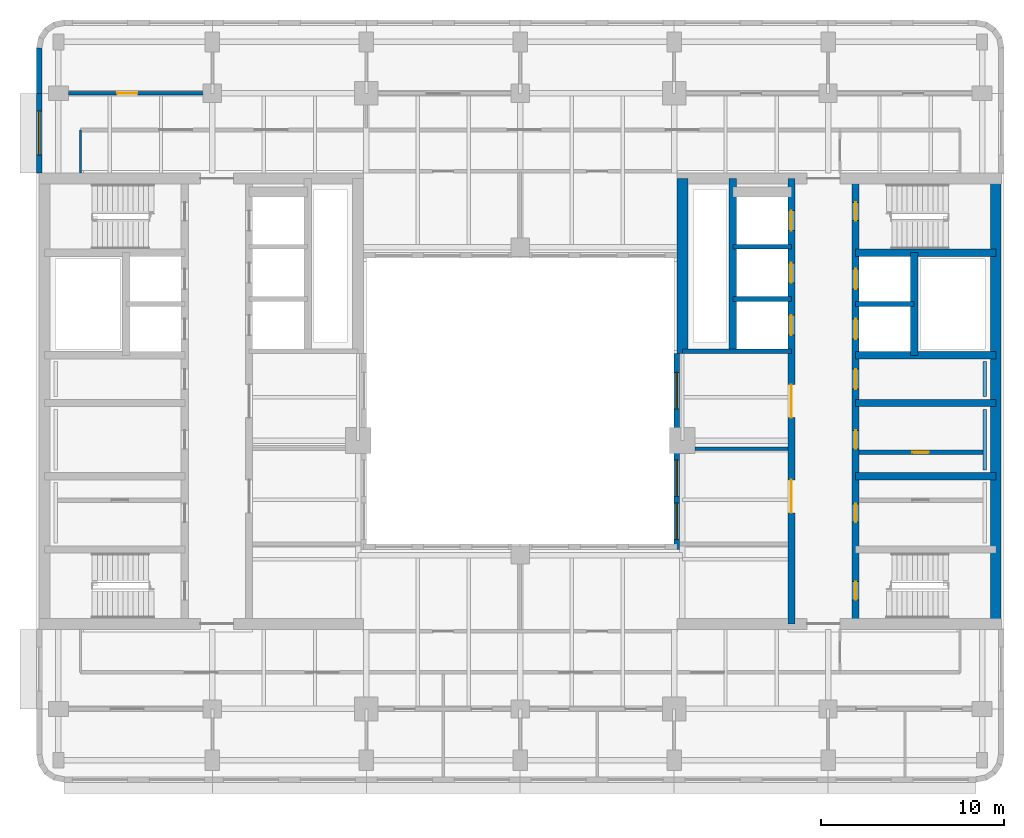
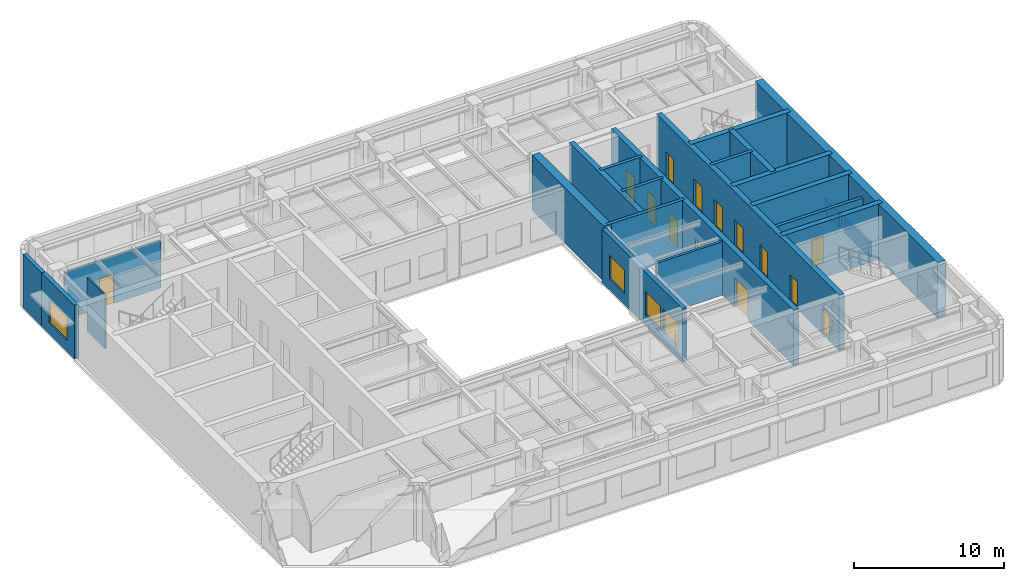
# One storey, part 6 of 11: 23 walls, 14 doors, 4 windows, 18 openings.
"""IFC4 building model written with IfcOpenShell, lengths in metres."""

from ifc_helpers import new_model, si_unit, direction, frame, frame_2d, origin, place, context, subcontext, project, spatial, rectangle, extrude, material, layer, layer_set, type_object, element, fill, save


model = new_model("IFC4")

# Units and contexts
model_context = context("Model", 3, precision=1e-05, world=origin(), true_north=direction((0.0, 1.0)))
body_context = subcontext(model_context, "Body", "Model", "MODEL_VIEW")
ifc_project = project(units=[si_unit("LENGTHUNIT", "METRE"), si_unit("AREAUNIT", "SQUARE_METRE"), si_unit("VOLUMEUNIT", "CUBIC_METRE"), si_unit("PLANEANGLEUNIT", "RADIAN"), si_unit("MASSUNIT", "GRAM", prefix="KILO")], contexts=[model_context])

# Site, building, storey
site_placement = place(None, origin())
site = spatial("IfcSite", under=ifc_project, at=site_placement, CompositionType="ELEMENT")
building_placement = place(site_placement, origin())
building = spatial("IfcBuilding", under=site, at=building_placement, Name="Claustro Exchange Tower", CompositionType="ELEMENT")
storey_placement = place(building_placement, frame((0.0, 0.0, 263.699951171875)))
storey = spatial("IfcBuildingStorey", under=building, at=storey_placement, Name="L60", CompositionType="ELEMENT", Elevation=263.699951171875)

# Walls
ifc_material_1 = material(Name="Laminated glass in aluminium frame", Category="aluminium")
ifc_layer_1 = layer(ifc_material_1, 0.1201171875)
ifc_layer_set_1 = layer_set([ifc_layer_1], Name="Laminated glass in aluminium frame")
wall_type_1 = type_object("IfcWallType", Name="P2 120 glazed partition", PredefinedType="PARTITIONING", material=ifc_layer_set_1)
wall_1_placement = place(storey_placement, frame((1.199951171875, 37.64794921875, 0.0), z_axis=(0.0, 0.0, 1.0), x_axis=(0.0, 1.0, 0.0)))
element("IfcWall", 1, at=wall_1_placement, inside=storey, type_object=wall_type_1, Name="Partition P2 L60", PredefinedType="PARTITIONING", context=body_context, shape_type="SweptSolid", body=[
    extrude(rectangle(XDim=2.35205078125, YDim=0.1201171875, at=frame_2d((1.176025390625, 0.0))), origin(), (0.0, 0.0, 1.0), 4.35009765625),
])
ifc_material_2 = material(Name="Twin-skin gypsum board on steel studs, mineral wool", Category="steel")
ifc_layer_2 = layer(ifc_material_2, 0.199951171875)
ifc_layer_set_2 = layer_set([ifc_layer_2], Name="Twin-skin gypsum board on steel studs, mineral wool")
wall_type_2 = type_object("IfcWallType", Name="P3 200 acoustic partition", PredefinedType="PARTITIONING", material=ifc_layer_set_2)
wall_2_placement = place(storey_placement, frame((34.7490234375, 22.60009765625, 0.0), z_axis=(0.0, 0.0, 1.0), x_axis=(1.0, 0.0, 0.0)))
element("IfcWall", 2, at=wall_2_placement, inside=storey, type_object=wall_type_2, Name="Partition P3 L60", PredefinedType="PARTITIONING", context=body_context, shape_type="SweptSolid", body=[
    extrude(rectangle(XDim=5.052978515625, YDim=0.199951171875, at=frame_2d((2.5263671875, 0.0))), origin(), (0.0, 0.0, 1.0), 4.35009765625),
])

# Wall, opening, door
wall_3_placement = place(storey_placement, frame((0.549072265625, 42.0, 0.0), z_axis=(0.0, 0.0, 1.0), x_axis=(1.0, 0.0, 0.0)))
wall_3 = element("IfcWall", 3, at=wall_3_placement, inside=storey, type_object=wall_type_2, Name="Partition P3 L60", PredefinedType="PARTITIONING", context=body_context, shape_type="SweptSolid", body=[
    extrude(rectangle(XDim=7.351806640625, YDim=0.199951171875, at=frame_2d((3.67578125, 0.0))), origin(), (0.0, 0.0, 1.0), 3.800048828125),
])
opening_1_placement = place(wall_3_placement, frame((2.65087890625, 0.0, 0.0)))
opening_1 = element("IfcOpeningElement", 4, at=opening_1_placement, cuts=wall_3, Name="Opening D8", PredefinedType="OPENING", context=body_context, shape_type="SweptSolid", body=[
    extrude(rectangle(XDim=1.10009765625, YDim=2.39990234375, at=frame_2d((0.550048828125, 1.199951171875))), frame((0.0, 0.10986328125, 0.0), z_axis=(0.0, -1.0, 0.0), x_axis=(1.0, 0.0, 0.0)), (0.0, 0.0, 1.0), 0.219970703125),
])
ifc_material_3 = material(Name="Timber door, walnut veneer", Category="wood")
door_type_1 = type_object("IfcDoorType", Name="D8 1100 x 2400 executive door", OperationType="SINGLE_SWING_LEFT", PredefinedType="DOOR", material=ifc_material_3)
door_1_placement = place(opening_1_placement, origin())
door_1 = element("IfcDoor", 5, at=door_1_placement, inside=storey, type_object=door_type_1, Name="Door D8 L60", OperationType="SINGLE_SWING_RIGHT", OverallHeight=2.39990234375, OverallWidth=1.10009765625, PredefinedType="DOOR", context=body_context, shape_type="SweptSolid", body=[
    extrude(rectangle(XDim=1.10009765625, YDim=2.39990234375, at=frame_2d((0.550048828125, 1.199951171875))), frame((0.0, 0.02490234375, 0.0), z_axis=(0.0, -1.0, 0.0), x_axis=(1.0, 0.0, 0.0)), (0.0, 0.0, 1.0), 0.050048828125),
])
fill(opening_1, door_1)

ifc_material_4 = material(Name="Concrete blockwork, rendered", Category="masonry")
ifc_layer_3 = layer(ifc_material_4, 0.25)
ifc_layer_set_3 = layer_set([ifc_layer_3], Name="Concrete blockwork, rendered")
wall_type_3 = type_object("IfcWallType", Name="P4 250 blockwork wall", PredefinedType="PARTITIONING", material=ifc_layer_set_3)
wall_4_placement = place(storey_placement, frame((43.699951171875, 22.39990234375, 0.0), z_axis=(0.0, 0.0, 1.0), x_axis=(1.0, 0.0, 0.0)))
wall_4 = element("IfcWall", 6, at=wall_4_placement, inside=storey, type_object=wall_type_3, Name="Partition P4 L60", PredefinedType="PARTITIONING", context=body_context, shape_type="SweptSolid", body=[
    extrude(rectangle(XDim=6.75, YDim=0.25, at=frame_2d((3.375, 0.0))), origin(), (0.0, 0.0, 1.0), 4.300048828125),
])
opening_2_placement = place(wall_4_placement, frame((2.89990234375, 0.0, 0.0)))
opening_2 = element("IfcOpeningElement", 7, at=opening_2_placement, cuts=wall_4, Name="Opening D5", PredefinedType="OPENING", context=body_context, shape_type="SweptSolid", body=[
    extrude(rectangle(XDim=0.89990234375, YDim=2.199951171875, at=frame_2d((0.449951171875, 1.10009765625))), frame((0.0, 0.135009765625, 0.0), z_axis=(0.0, -1.0, 0.0), x_axis=(1.0, 0.0, 0.0)), (0.0, 0.0, 1.0), 0.27001953125),
])
ifc_material_5 = material(Name="Steel door, painted", Category="steel")
door_type_2 = type_object("IfcDoorType", Name="D5 900 x 2200 store door", OperationType="SINGLE_SWING_LEFT", PredefinedType="DOOR", material=ifc_material_5)
door_2_placement = place(opening_2_placement, frame((0.89990234375, 0.0, 0.0), z_axis=(0.0, 0.0, 1.0), x_axis=(-1.0, 0.0, 0.0)))
door_2 = element("IfcDoor", 8, at=door_2_placement, inside=storey, type_object=door_type_2, Name="Store door D5 L60", OperationType="SINGLE_SWING_LEFT", OverallHeight=2.199951171875, OverallWidth=0.89990234375, PredefinedType="DOOR", context=body_context, shape_type="SweptSolid", body=[
    extrude(rectangle(XDim=0.89990234375, YDim=2.199951171875, at=frame_2d((0.449951171875, 1.10009765625))), frame((0.0, 0.02490234375, 0.0), z_axis=(0.0, -1.0, 0.0), x_axis=(1.0, 0.0, 0.0)), (0.0, 0.0, 1.0), 0.050048828125),
])
fill(opening_2, door_2)

# Wall, opening, window
ifc_material_6 = material(Name="Concrete HA-40 (C40/50), precast, white cement, acid-etched", Category="concrete")
ifc_layer_4 = layer(ifc_material_6, 0.300048828125)
ifc_layer_set_4 = layer_set([ifc_layer_4], Name="Concrete HA-40 (C40/50), precast, white cement, acid-etched")
wall_type_4 = type_object("IfcWallType", Name="PC1 300 precast concrete pier panel", PredefinedType="SOLIDWALL", material=ifc_layer_set_4)
wall_5_placement = place(storey_placement, frame((-1.050048828125, 37.64990234375, 0.0), z_axis=(0.0, 0.0, 1.0), x_axis=(0.0, 1.0, 0.0)))
wall_5 = element("IfcWall", 9, at=wall_5_placement, inside=storey, type_object=wall_type_4, Name="Precast pier panel PC1 L60", PredefinedType="SOLIDWALL", context=body_context, shape_type="SweptSolid", body=[
    extrude(rectangle(XDim=4.35009765625, YDim=0.300048828125, at=frame_2d((2.175048828125, 0.0))), origin(), (0.0, 0.0, 1.0), 4.35009765625),
])
opening_3_placement = place(wall_5_placement, frame((0.97509765625, 0.0, 0.89990234375)))
opening_3 = element("IfcOpeningElement", 10, at=opening_3_placement, cuts=wall_5, Name="Opening W2", PredefinedType="OPENING", context=body_context, shape_type="SweptSolid", body=[
    extrude(rectangle(XDim=2.39990234375, YDim=1.89990234375, at=frame_2d((1.199951171875, 0.949951171875))), frame((0.0, 0.159912109375, 0.0), z_axis=(0.0, -1.0, 0.0), x_axis=(1.0, 0.0, 0.0)), (0.0, 0.0, 1.0), 0.320068359375),
])
ifc_material_7 = material(Name="Aluminium frame, clear double glazing", Category="aluminium")
window_type_1 = type_object("IfcWindowType", Name="W2 2400 x 1900 window", PartitioningType="SINGLE_PANEL", PredefinedType="WINDOW", material=ifc_material_7)
window_1_placement = place(opening_3_placement, origin())
window_1 = element("IfcWindow", 11, at=window_1_placement, inside=storey, type_object=window_type_1, Name="Window W2 L60", OverallHeight=1.89990234375, OverallWidth=2.39990234375, PartitioningType="SINGLE_PANEL", PredefinedType="WINDOW", context=body_context, shape_type="SweptSolid", body=[
    extrude(rectangle(XDim=2.39990234375, YDim=1.89990234375, at=frame_2d((1.199951171875, 0.949951171875))), frame((0.0, 0.030029296875, 0.0), z_axis=(0.0, -1.0, 0.0), x_axis=(1.0, 0.0, 0.0)), (0.0, 0.0, 1.0), 0.06005859375),
])
fill(opening_3, window_1)

# Wall
wall_6_placement = place(storey_placement, frame((-1.050048828125, 42.0, 0.0), z_axis=(0.0, 0.0, 1.0), x_axis=(0.0, 1.0, 0.0)))
element("IfcWall", 12, at=wall_6_placement, inside=storey, type_object=wall_type_4, Name="Precast pier panel PC1 L60", PredefinedType="SOLIDWALL", context=body_context, shape_type="SweptSolid", body=[
    extrude(rectangle(XDim=2.485107421875, YDim=0.300048828125, at=frame_2d((1.24267578125, 0.0))), origin(), (0.0, 0.0, 1.0), 4.35009765625),
])

# Wall, openings, windows
wall_7_placement = place(storey_placement, frame((33.75, 17.10009765625, 0.0), z_axis=(0.0, 0.0, 1.0), x_axis=(0.0, 1.0, 0.0)))
wall_7 = element("IfcWall", 13, at=wall_7_placement, inside=storey, type_object=wall_type_4, Name="Precast pier panel PC1 L60", PredefinedType="SOLIDWALL", context=body_context, shape_type="SweptSolid", body=[
    extrude(rectangle(XDim=10.699951171875, YDim=0.300048828125, at=frame_2d((5.35009765625, 0.0))), origin(), (0.0, 0.0, 1.0), 4.35009765625),
])
opening_4_placement = place(wall_7_placement, frame((0.550048828125, 0.0, 0.89990234375)))
opening_4 = element("IfcOpeningElement", 14, at=opening_4_placement, cuts=wall_7, Name="Opening W4", PredefinedType="OPENING", context=body_context, shape_type="SweptSolid", body=[
    extrude(rectangle(XDim=2.0, YDim=1.89990234375, at=frame_2d((1.0, 0.949951171875))), frame((0.0, 0.159912109375, 0.0), z_axis=(0.0, -1.0, 0.0), x_axis=(1.0, 0.0, 0.0)), (0.0, 0.0, 1.0), 0.320068359375),
])
opening_5_placement = place(wall_7_placement, frame((2.89990234375, 0.0, 0.89990234375)))
opening_5 = element("IfcOpeningElement", 15, at=opening_5_placement, cuts=wall_7, Name="Opening W4", PredefinedType="OPENING", context=body_context, shape_type="SweptSolid", body=[
    extrude(rectangle(XDim=2.0, YDim=1.89990234375, at=frame_2d((1.0, 0.949951171875))), frame((0.0, 0.159912109375, 0.0), z_axis=(0.0, -1.0, 0.0), x_axis=(1.0, 0.0, 0.0)), (0.0, 0.0, 1.0), 0.320068359375),
])
opening_6_placement = place(wall_7_placement, frame((7.675048828125, 0.0, 0.89990234375)))
opening_6 = element("IfcOpeningElement", 16, at=opening_6_placement, cuts=wall_7, Name="Opening W4", PredefinedType="OPENING", context=body_context, shape_type="SweptSolid", body=[
    extrude(rectangle(XDim=2.0, YDim=1.89990234375, at=frame_2d((1.0, 0.949951171875))), frame((0.0, 0.159912109375, 0.0), z_axis=(0.0, -1.0, 0.0), x_axis=(1.0, 0.0, 0.0)), (0.0, 0.0, 1.0), 0.320068359375),
])
ifc_material_8 = material(Name="Aluminium frame, clear double glazing", Category="aluminium")
window_type_2 = type_object("IfcWindowType", Name="W4 2000 x 1900 light well window", PartitioningType="SINGLE_PANEL", PredefinedType="WINDOW", material=ifc_material_8)
window_2_placement = place(opening_4_placement, origin())
window_2 = element("IfcWindow", 17, at=window_2_placement, inside=storey, type_object=window_type_2, Name="Window W4 L60", OverallHeight=1.89990234375, OverallWidth=2.0, PartitioningType="SINGLE_PANEL", PredefinedType="WINDOW", context=body_context, shape_type="SweptSolid", body=[
    extrude(rectangle(XDim=2.0, YDim=1.89990234375, at=frame_2d((1.0, 0.949951171875))), frame((0.0, 0.030029296875, 0.0), z_axis=(0.0, -1.0, 0.0), x_axis=(1.0, 0.0, 0.0)), (0.0, 0.0, 1.0), 0.06005859375),
])
fill(opening_4, window_2)
window_3_placement = place(opening_5_placement, origin())
window_3 = element("IfcWindow", 18, at=window_3_placement, inside=storey, type_object=window_type_2, Name="Window W4 L60", OverallHeight=1.89990234375, OverallWidth=2.0, PartitioningType="SINGLE_PANEL", PredefinedType="WINDOW", context=body_context, shape_type="SweptSolid", body=[
    extrude(rectangle(XDim=2.0, YDim=1.89990234375, at=frame_2d((1.0, 0.949951171875))), frame((0.0, 0.030029296875, 0.0), z_axis=(0.0, -1.0, 0.0), x_axis=(1.0, 0.0, 0.0)), (0.0, 0.0, 1.0), 0.06005859375),
])
fill(opening_5, window_3)
window_4_placement = place(opening_6_placement, origin())
window_4 = element("IfcWindow", 19, at=window_4_placement, inside=storey, type_object=window_type_2, Name="Window W4 L60", OverallHeight=1.89990234375, OverallWidth=2.0, PartitioningType="SINGLE_PANEL", PredefinedType="WINDOW", context=body_context, shape_type="SweptSolid", body=[
    extrude(rectangle(XDim=2.0, YDim=1.89990234375, at=frame_2d((1.0, 0.949951171875))), frame((0.0, 0.030029296875, 0.0), z_axis=(0.0, -1.0, 0.0), x_axis=(1.0, 0.0, 0.0)), (0.0, 0.0, 1.0), 0.06005859375),
])
fill(opening_6, window_4)

# Walls
ifc_material_9 = material(Name="Gypsum board on steel studs, tiled", Category="steel")
ifc_layer_5 = layer(ifc_material_9, 0.199951171875)
ifc_layer_set_5 = layer_set([ifc_layer_5], Name="Gypsum board on steel studs, tiled")
wall_type_5 = type_object("IfcWallType", Name="PW1 200 WC duct wall", PredefinedType="PLUMBINGWALL", material=ifc_layer_set_5)
wall_8_placement = place(storey_placement, frame((50.550048828125, 21.449951171875, 0.0), z_axis=(0.0, 0.0, 1.0), x_axis=(0.0, 1.0, 0.0)))
element("IfcWall", 20, at=wall_8_placement, inside=storey, type_object=wall_type_5, Name="WC duct wall PW1 L60", PredefinedType="PLUMBINGWALL", context=body_context, shape_type="SweptSolid", body=[
    extrude(rectangle(XDim=3.300048828125, YDim=0.199951171875, at=frame_2d((1.64990234375, 0.0))), origin(), (0.0, 0.0, 1.0), 1.199951171875),
])
wall_9_placement = place(storey_placement, frame((50.550048828125, 25.449951171875, 0.0), z_axis=(0.0, 0.0, 1.0), x_axis=(0.0, 1.0, 0.0)))
element("IfcWall", 21, at=wall_9_placement, inside=storey, type_object=wall_type_5, Name="WC duct wall PW1 L60", PredefinedType="PLUMBINGWALL", context=body_context, shape_type="SweptSolid", body=[
    extrude(rectangle(XDim=1.900146484375, YDim=0.199951171875, at=frame_2d((0.9501953125, 0.0))), origin(), (0.0, 0.0, 1.0), 1.199951171875),
])
ifc_material_10 = material(Name="Concrete HA-50 (C50/60)", Category="concrete")
ifc_layer_6 = layer(ifc_material_10, 0.60009765625)
ifc_layer_set_6 = layer_set([ifc_layer_6], Name="Concrete HA-50 (C50/60)")
wall_type_6 = type_object("IfcWallType", Name="SW3X 600 exposed core shear wall, board-marked face", PredefinedType="SHEAR", material=ifc_layer_set_6)
wall_10_placement = place(storey_placement, frame((34.050048828125, 27.800048828125, 0.0), z_axis=(0.0, 0.0, 1.0), x_axis=(0.0, 1.0, 0.0)))
element("IfcWall", 22, at=wall_10_placement, inside=storey, type_object=wall_type_6, Name="Core wall SW3X E core W face L60", PredefinedType="SHEAR", context=body_context, shape_type="SweptSolid", body=[
    extrude(rectangle(XDim=9.550048828125, YDim=0.60009765625, at=frame_2d((4.77490234375, 0.0))), origin(), (0.0, 0.0, 1.0), 4.5),
])
wall_11_placement = place(storey_placement, frame((51.14990234375, 13.050048828125, 0.0), z_axis=(0.0, 0.0, 1.0), x_axis=(0.0, 1.0, 0.0)))
element("IfcWall", 23, at=wall_11_placement, inside=storey, type_object=wall_type_6, Name="Core wall SW3X E core E face L60", PredefinedType="SHEAR", context=body_context, shape_type="SweptSolid", body=[
    extrude(rectangle(XDim=24.300048828125, YDim=0.60009765625, at=frame_2d((12.14990234375, 0.0))), origin(), (0.0, 0.0, 1.0), 4.5),
])

# Wall, openings, doors
ifc_material_11 = material(Name="Concrete HA-50 (C50/60)", Category="concrete")
ifc_layer_7 = layer(ifc_material_11, 0.39990234375)
ifc_layer_set_7 = layer_set([ifc_layer_7], Name="Concrete HA-50 (C50/60)")
wall_type_7 = type_object("IfcWallType", Name="SW4 400 internal core wall", PredefinedType="SHEAR", material=ifc_layer_set_7)
wall_12_placement = place(storey_placement, frame((43.5, 13.050048828125, 0.0), z_axis=(0.0, 0.0, 1.0), x_axis=(0.0, 1.0, 0.0)))
wall_12 = element("IfcWall", 24, at=wall_12_placement, inside=storey, type_object=wall_type_7, Name="Internal core wall SW4 E core L60", PredefinedType="SHEAR", context=body_context, shape_type="SweptSolid", body=[
    extrude(rectangle(XDim=24.300048828125, YDim=0.39990234375, at=frame_2d((12.14990234375, 0.0))), origin(), (0.0, 0.0, 1.0), 4.5),
])
opening_7_placement = place(wall_12_placement, frame((1.300048828125, 0.0, 0.0)))
opening_7 = element("IfcOpeningElement", 25, at=opening_7_placement, cuts=wall_12, Name="Opening D4", PredefinedType="OPENING", context=body_context, shape_type="SweptSolid", body=[
    extrude(rectangle(XDim=1.0, YDim=2.199951171875, at=frame_2d((0.5, 1.10009765625))), frame((0.0, 0.2099609375, 0.0), z_axis=(0.0, -1.0, 0.0), x_axis=(1.0, 0.0, 0.0)), (0.0, 0.0, 1.0), 0.419921875),
])
opening_8_placement = place(wall_12_placement, frame((22.0, 0.0, 0.0)))
opening_8 = element("IfcOpeningElement", 26, at=opening_8_placement, cuts=wall_12, Name="Opening D4", PredefinedType="OPENING", context=body_context, shape_type="SweptSolid", body=[
    extrude(rectangle(XDim=1.0, YDim=2.199951171875, at=frame_2d((0.5, 1.10009765625))), frame((0.0, 0.2099609375, 0.0), z_axis=(0.0, -1.0, 0.0), x_axis=(1.0, 0.0, 0.0)), (0.0, 0.0, 1.0), 0.419921875),
])
opening_9_placement = place(wall_12_placement, frame((5.550048828125, 0.0, 0.0)))
opening_9 = element("IfcOpeningElement", 27, at=opening_9_placement, cuts=wall_12, Name="Opening D1", PredefinedType="OPENING", context=body_context, shape_type="SweptSolid", body=[
    extrude(rectangle(XDim=1.0, YDim=2.199951171875, at=frame_2d((0.5, 1.10009765625))), frame((0.0, 0.2099609375, 0.0), z_axis=(0.0, -1.0, 0.0), x_axis=(1.0, 0.0, 0.0)), (0.0, 0.0, 1.0), 0.419921875),
])
opening_10_placement = place(wall_12_placement, frame((9.550048828125, 0.0, 0.0)))
opening_10 = element("IfcOpeningElement", 28, at=opening_10_placement, cuts=wall_12, Name="Opening D1", PredefinedType="OPENING", context=body_context, shape_type="SweptSolid", body=[
    extrude(rectangle(XDim=1.0, YDim=2.199951171875, at=frame_2d((0.5, 1.10009765625))), frame((0.0, 0.2099609375, 0.0), z_axis=(0.0, -1.0, 0.0), x_axis=(1.0, 0.0, 0.0)), (0.0, 0.0, 1.0), 0.419921875),
])
opening_11_placement = place(wall_12_placement, frame((12.800048828125, 0.0, 0.0)))
opening_11 = element("IfcOpeningElement", 29, at=opening_11_placement, cuts=wall_12, Name="Opening D10", PredefinedType="OPENING", context=body_context, shape_type="SweptSolid", body=[
    extrude(rectangle(XDim=1.10009765625, YDim=2.199951171875, at=frame_2d((0.550048828125, 1.10009765625))), frame((0.0, 0.2099609375, 0.0), z_axis=(0.0, -1.0, 0.0), x_axis=(1.0, 0.0, 0.0)), (0.0, 0.0, 1.0), 0.419921875),
])
opening_12_placement = place(wall_12_placement, frame((15.53759765625, 0.0, 0.0)))
opening_12 = element("IfcOpeningElement", 30, at=opening_12_placement, cuts=wall_12, Name="Opening LD", PredefinedType="OPENING", context=body_context, shape_type="SweptSolid", body=[
    extrude(rectangle(XDim=1.10009765625, YDim=2.199951171875, at=frame_2d((0.550048828125, 1.10009765625))), frame((0.0, 0.2099609375, 0.0), z_axis=(0.0, -1.0, 0.0), x_axis=(1.0, 0.0, 0.0)), (0.0, 0.0, 1.0), 0.419921875),
])
opening_13_placement = place(wall_12_placement, frame((18.262451171875, 0.0, 0.0)))
opening_13 = element("IfcOpeningElement", 31, at=opening_13_placement, cuts=wall_12, Name="Opening LD", PredefinedType="OPENING", context=body_context, shape_type="SweptSolid", body=[
    extrude(rectangle(XDim=1.10009765625, YDim=2.199951171875, at=frame_2d((0.550048828125, 1.10009765625))), frame((0.0, 0.2099609375, 0.0), z_axis=(0.0, -1.0, 0.0), x_axis=(1.0, 0.0, 0.0)), (0.0, 0.0, 1.0), 0.419921875),
])
ifc_material_12 = material(Name="Timber door, oak veneer", Category="wood")
door_type_3 = type_object("IfcDoorType", Name="D1 1000 x 2200 single door", OperationType="SINGLE_SWING_LEFT", PredefinedType="DOOR", material=ifc_material_12)
door_3_placement = place(opening_9_placement, frame((1.0, 0.0, 0.0), z_axis=(0.0, 0.0, 1.0), x_axis=(-1.0, 0.0, 0.0)))
door_3 = element("IfcDoor", 32, at=door_3_placement, inside=storey, type_object=door_type_3, Name="Door D1 L60", OperationType="SINGLE_SWING_LEFT", OverallHeight=2.199951171875, OverallWidth=1.0, PredefinedType="DOOR", context=body_context, shape_type="SweptSolid", body=[
    extrude(rectangle(XDim=1.0, YDim=2.199951171875, at=frame_2d((0.5, 1.10009765625))), frame((0.0, 0.02490234375, 0.0), z_axis=(0.0, -1.0, 0.0), x_axis=(1.0, 0.0, 0.0)), (0.0, 0.0, 1.0), 0.050048828125),
])
fill(opening_9, door_3)
door_4_placement = place(opening_10_placement, frame((1.0, 0.0, 0.0), z_axis=(0.0, 0.0, 1.0), x_axis=(-1.0, 0.0, 0.0)))
door_4 = element("IfcDoor", 33, at=door_4_placement, inside=storey, type_object=door_type_3, Name="Door D1 L60", OperationType="SINGLE_SWING_RIGHT", OverallHeight=2.199951171875, OverallWidth=1.0, PredefinedType="DOOR", context=body_context, shape_type="SweptSolid", body=[
    extrude(rectangle(XDim=1.0, YDim=2.199951171875, at=frame_2d((0.5, 1.10009765625))), frame((0.0, 0.02490234375, 0.0), z_axis=(0.0, -1.0, 0.0), x_axis=(1.0, 0.0, 0.0)), (0.0, 0.0, 1.0), 0.050048828125),
])
fill(opening_10, door_4)
ifc_material_13 = material(Name="Timber door, oak veneer", Category="wood")
door_type_4 = type_object("IfcDoorType", Name="D10 1100 x 2200 accessible WC door", OperationType="SINGLE_SWING_LEFT", PredefinedType="DOOR", material=ifc_material_13)
door_5_placement = place(opening_11_placement, origin())
door_5 = element("IfcDoor", 34, at=door_5_placement, inside=storey, type_object=door_type_4, Name="Accessible WC door D10 L60", OperationType="SINGLE_SWING_RIGHT", OverallHeight=2.199951171875, OverallWidth=1.10009765625, PredefinedType="DOOR", context=body_context, shape_type="SweptSolid", body=[
    extrude(rectangle(XDim=1.10009765625, YDim=2.199951171875, at=frame_2d((0.550048828125, 1.10009765625))), frame((0.0, 0.02490234375, 0.0), z_axis=(0.0, -1.0, 0.0), x_axis=(1.0, 0.0, 0.0)), (0.0, 0.0, 1.0), 0.050048828125),
])
fill(opening_11, door_5)
ifc_material_14 = material(Name="Steel fire door, painted", Category="steel")
door_type_5 = type_object("IfcDoorType", Name="D4 1000 x 2200 fire-rated stair door", OperationType="SINGLE_SWING_LEFT", PredefinedType="DOOR", material=ifc_material_14)
door_6_placement = place(opening_7_placement, frame((1.0, 0.0, 0.0), z_axis=(0.0, 0.0, 1.0), x_axis=(-1.0, 0.0, 0.0)))
door_6 = element("IfcDoor", 35, at=door_6_placement, inside=storey, type_object=door_type_5, Name="Stair door D4 L60", OperationType="SINGLE_SWING_RIGHT", OverallHeight=2.199951171875, OverallWidth=1.0, PredefinedType="DOOR", context=body_context, shape_type="SweptSolid", body=[
    extrude(rectangle(XDim=1.0, YDim=2.199951171875, at=frame_2d((0.5, 1.10009765625))), frame((0.0, 0.02490234375, 0.0), z_axis=(0.0, -1.0, 0.0), x_axis=(1.0, 0.0, 0.0)), (0.0, 0.0, 1.0), 0.050048828125),
])
fill(opening_7, door_6)
door_7_placement = place(opening_8_placement, frame((1.0, 0.0, 0.0), z_axis=(0.0, 0.0, 1.0), x_axis=(-1.0, 0.0, 0.0)))
door_7 = element("IfcDoor", 36, at=door_7_placement, inside=storey, type_object=door_type_5, Name="Stair door D4 L60", OperationType="SINGLE_SWING_LEFT", OverallHeight=2.199951171875, OverallWidth=1.0, PredefinedType="DOOR", context=body_context, shape_type="SweptSolid", body=[
    extrude(rectangle(XDim=1.0, YDim=2.199951171875, at=frame_2d((0.5, 1.10009765625))), frame((0.0, 0.02490234375, 0.0), z_axis=(0.0, -1.0, 0.0), x_axis=(1.0, 0.0, 0.0)), (0.0, 0.0, 1.0), 0.050048828125),
])
fill(opening_8, door_7)
ifc_material_15 = material(Name="Stainless steel sliding door", Category="steel")
door_type_6 = type_object("IfcDoorType", Name="LD 1100 x 2200 lift landing door", OperationType="DOUBLE_DOOR_SLIDING", PredefinedType="DOOR", material=ifc_material_15)
door_8_placement = place(opening_12_placement, origin())
door_8 = element("IfcDoor", 37, at=door_8_placement, inside=storey, type_object=door_type_6, Name="Lift landing door LEE1 LD L60", OperationType="DOUBLE_DOOR_SLIDING", OverallHeight=2.199951171875, OverallWidth=1.10009765625, PredefinedType="DOOR", context=body_context, shape_type="SweptSolid", body=[
    extrude(rectangle(XDim=1.10009765625, YDim=2.199951171875, at=frame_2d((0.550048828125, 1.10009765625))), frame((0.0, 0.02490234375, 0.0), z_axis=(0.0, -1.0, 0.0), x_axis=(1.0, 0.0, 0.0)), (0.0, 0.0, 1.0), 0.050048828125),
])
fill(opening_12, door_8)
door_9_placement = place(opening_13_placement, origin())
door_9 = element("IfcDoor", 38, at=door_9_placement, inside=storey, type_object=door_type_6, Name="Lift landing door LEE2 LD L60", OperationType="DOUBLE_DOOR_SLIDING", OverallHeight=2.199951171875, OverallWidth=1.10009765625, PredefinedType="DOOR", context=body_context, shape_type="SweptSolid", body=[
    extrude(rectangle(XDim=1.10009765625, YDim=2.199951171875, at=frame_2d((0.550048828125, 1.10009765625))), frame((0.0, 0.02490234375, 0.0), z_axis=(0.0, -1.0, 0.0), x_axis=(1.0, 0.0, 0.0)), (0.0, 0.0, 1.0), 0.050048828125),
])
fill(opening_13, door_9)

wall_13_placement = place(storey_placement, frame((40.0, 13.050048828125, 0.0), z_axis=(0.0, 0.0, 1.0), x_axis=(0.0, 1.0, 0.0)))
wall_13 = element("IfcWall", 39, at=wall_13_placement, inside=storey, type_object=wall_type_7, Name="Internal core wall SW4 E core L60", PredefinedType="SHEAR", context=body_context, shape_type="SweptSolid", body=[
    extrude(rectangle(XDim=24.300048828125, YDim=0.39990234375, at=frame_2d((12.14990234375, 0.0))), origin(), (0.0, 0.0, 1.0), 4.5),
])
opening_14_placement = place(wall_13_placement, frame((15.75, 0.0, 0.0)))
opening_14 = element("IfcOpeningElement", 40, at=opening_14_placement, cuts=wall_13, Name="Opening LD", PredefinedType="OPENING", context=body_context, shape_type="SweptSolid", body=[
    extrude(rectangle(XDim=1.10009765625, YDim=2.199951171875, at=frame_2d((0.550048828125, 1.10009765625))), frame((0.0, 0.2099609375, 0.0), z_axis=(0.0, -1.0, 0.0), x_axis=(1.0, 0.0, 0.0)), (0.0, 0.0, 1.0), 0.419921875),
])
opening_15_placement = place(wall_13_placement, frame((18.60009765625, 0.0, 0.0)))
opening_15 = element("IfcOpeningElement", 41, at=opening_15_placement, cuts=wall_13, Name="Opening LD", PredefinedType="OPENING", context=body_context, shape_type="SweptSolid", body=[
    extrude(rectangle(XDim=1.10009765625, YDim=2.199951171875, at=frame_2d((0.550048828125, 1.10009765625))), frame((0.0, 0.2099609375, 0.0), z_axis=(0.0, -1.0, 0.0), x_axis=(1.0, 0.0, 0.0)), (0.0, 0.0, 1.0), 0.419921875),
])
opening_16_placement = place(wall_13_placement, frame((21.449951171875, 0.0, 0.0)))
opening_16 = element("IfcOpeningElement", 42, at=opening_16_placement, cuts=wall_13, Name="Opening LD", PredefinedType="OPENING", context=body_context, shape_type="SweptSolid", body=[
    extrude(rectangle(XDim=1.10009765625, YDim=2.199951171875, at=frame_2d((0.550048828125, 1.10009765625))), frame((0.0, 0.2099609375, 0.0), z_axis=(0.0, -1.0, 0.0), x_axis=(1.0, 0.0, 0.0)), (0.0, 0.0, 1.0), 0.419921875),
])
opening_17_placement = place(wall_13_placement, frame((6.050048828125, 0.0, 0.0)))
opening_17 = element("IfcOpeningElement", 43, at=opening_17_placement, cuts=wall_13, Name="Opening D3", PredefinedType="OPENING", context=body_context, shape_type="SweptSolid", body=[
    extrude(rectangle(XDim=1.800048828125, YDim=2.39990234375, at=frame_2d((0.89990234375, 1.199951171875))), frame((0.0, 0.2099609375, 0.0), z_axis=(0.0, -1.0, 0.0), x_axis=(1.0, 0.0, 0.0)), (0.0, 0.0, 1.0), 0.419921875),
])
opening_18_placement = place(wall_13_placement, frame((11.25, 0.0, 0.0)))
opening_18 = element("IfcOpeningElement", 44, at=opening_18_placement, cuts=wall_13, Name="Opening D3", PredefinedType="OPENING", context=body_context, shape_type="SweptSolid", body=[
    extrude(rectangle(XDim=1.800048828125, YDim=2.39990234375, at=frame_2d((0.89990234375, 1.199951171875))), frame((0.0, 0.2099609375, 0.0), z_axis=(0.0, -1.0, 0.0), x_axis=(1.0, 0.0, 0.0)), (0.0, 0.0, 1.0), 0.419921875),
])
ifc_material_16 = material(Name="Steel fire door, painted", Category="steel")
door_type_7 = type_object("IfcDoorType", Name="D3 1800 x 2400 fire-rated lobby double door", OperationType="DOUBLE_DOOR_SINGLE_SWING", PredefinedType="DOOR", material=ifc_material_16)
door_10_placement = place(opening_17_placement, origin())
door_10 = element("IfcDoor", 45, at=door_10_placement, inside=storey, type_object=door_type_7, Name="Core zone door D3 L60", OperationType="DOUBLE_DOOR_SINGLE_SWING", OverallHeight=2.39990234375, OverallWidth=1.800048828125, PredefinedType="DOOR", context=body_context, shape_type="SweptSolid", body=[
    extrude(rectangle(XDim=1.800048828125, YDim=2.39990234375, at=frame_2d((0.89990234375, 1.199951171875))), frame((0.0, 0.02490234375, 0.0), z_axis=(0.0, -1.0, 0.0), x_axis=(1.0, 0.0, 0.0)), (0.0, 0.0, 1.0), 0.050048828125),
])
fill(opening_17, door_10)
door_11_placement = place(opening_18_placement, origin())
door_11 = element("IfcDoor", 46, at=door_11_placement, inside=storey, type_object=door_type_7, Name="Core zone door D3 L60", OperationType="DOUBLE_DOOR_SINGLE_SWING", OverallHeight=2.39990234375, OverallWidth=1.800048828125, PredefinedType="DOOR", context=body_context, shape_type="SweptSolid", body=[
    extrude(rectangle(XDim=1.800048828125, YDim=2.39990234375, at=frame_2d((0.89990234375, 1.199951171875))), frame((0.0, 0.02490234375, 0.0), z_axis=(0.0, -1.0, 0.0), x_axis=(1.0, 0.0, 0.0)), (0.0, 0.0, 1.0), 0.050048828125),
])
fill(opening_18, door_11)
door_12_placement = place(opening_14_placement, origin())
door_12 = element("IfcDoor", 47, at=door_12_placement, inside=storey, type_object=door_type_6, Name="Lift landing door LHE1 LD L60", OperationType="DOUBLE_DOOR_SLIDING", OverallHeight=2.199951171875, OverallWidth=1.10009765625, PredefinedType="DOOR", context=body_context, shape_type="SweptSolid", body=[
    extrude(rectangle(XDim=1.10009765625, YDim=2.199951171875, at=frame_2d((0.550048828125, 1.10009765625))), frame((0.0, 0.02490234375, 0.0), z_axis=(0.0, -1.0, 0.0), x_axis=(1.0, 0.0, 0.0)), (0.0, 0.0, 1.0), 0.050048828125),
])
fill(opening_14, door_12)
door_13_placement = place(opening_15_placement, origin())
door_13 = element("IfcDoor", 48, at=door_13_placement, inside=storey, type_object=door_type_6, Name="Lift landing door LHE2 LD L60", OperationType="DOUBLE_DOOR_SLIDING", OverallHeight=2.199951171875, OverallWidth=1.10009765625, PredefinedType="DOOR", context=body_context, shape_type="SweptSolid", body=[
    extrude(rectangle(XDim=1.10009765625, YDim=2.199951171875, at=frame_2d((0.550048828125, 1.10009765625))), frame((0.0, 0.02490234375, 0.0), z_axis=(0.0, -1.0, 0.0), x_axis=(1.0, 0.0, 0.0)), (0.0, 0.0, 1.0), 0.050048828125),
])
fill(opening_15, door_13)
door_14_placement = place(opening_16_placement, origin())
door_14 = element("IfcDoor", 49, at=door_14_placement, inside=storey, type_object=door_type_6, Name="Lift landing door LSE1 LD L60", OperationType="DOUBLE_DOOR_SLIDING", OverallHeight=2.199951171875, OverallWidth=1.10009765625, PredefinedType="DOOR", context=body_context, shape_type="SweptSolid", body=[
    extrude(rectangle(XDim=1.10009765625, YDim=2.199951171875, at=frame_2d((0.550048828125, 1.10009765625))), frame((0.0, 0.02490234375, 0.0), z_axis=(0.0, -1.0, 0.0), x_axis=(1.0, 0.0, 0.0)), (0.0, 0.0, 1.0), 0.050048828125),
])
fill(opening_16, door_14)

# Walls
wall_14_placement = place(storey_placement, frame((36.800048828125, 27.925048828125, 0.0), z_axis=(0.0, 0.0, 1.0), x_axis=(0.0, 1.0, 0.0)))
element("IfcWall", 50, at=wall_14_placement, inside=storey, type_object=wall_type_7, Name="Internal core wall SW4 E core L60", PredefinedType="SHEAR", context=body_context, shape_type="SweptSolid", body=[
    extrude(rectangle(XDim=9.425048828125, YDim=0.39990234375, at=frame_2d((4.71240234375, 0.0))), origin(), (0.0, 0.0, 1.0), 4.5),
])
for number, where, z_axis, x_axis, name in (
    (51, (51.14990234375, 21.10009765625, 0.0), (0.0, 0.0, 1.0), (-1.0, 0.0, 0.0), "Internal core wall SW4 E core L60"),
    (52, (51.14990234375, 25.10009765625, 0.0), (0.0, 0.0, 1.0), (-1.0, 0.0, 0.0), "Internal core wall SW4 E core L60"),
    (53, (51.14990234375, 27.699951171875, 0.0), (0.0, 0.0, 1.0), (-1.0, 0.0, 0.0), "Internal core wall SW4 E core L60"),
    (54, (51.14990234375, 33.300048828125, 0.0), (0.0, 0.0, 1.0), (-1.0, 0.0, 0.0), "Internal core wall SW4 E core L60"),
):
    element("IfcWall", number, at=place(storey_placement, frame(where, z_axis=z_axis, x_axis=x_axis)), inside=storey, type_object=wall_type_7, Name=name, PredefinedType="SHEAR", context=body_context, shape_type="SweptSolid", body=[
        extrude(rectangle(XDim=7.64990234375, YDim=0.39990234375, at=frame_2d((3.824951171875, 0.0))), origin(), (0.0, 0.0, 1.0), 4.5),
    ])
wall_15_placement = place(storey_placement, frame((46.699951171875, 27.699951171875, 0.0), z_axis=(0.0, 0.0, 1.0), x_axis=(0.0, 1.0, 0.0)))
element("IfcWall", 55, at=wall_15_placement, inside=storey, type_object=wall_type_7, Name="Internal core wall SW4 E core L60", PredefinedType="SHEAR", context=body_context, shape_type="SweptSolid", body=[
    extrude(rectangle(XDim=5.60009765625, YDim=0.39990234375, at=frame_2d((2.800048828125, 0.0))), origin(), (0.0, 0.0, 1.0), 4.5),
])
ifc_material_17 = material(Name="Concrete HA-50 (C50/60)", Category="concrete")
ifc_layer_8 = layer(ifc_material_17, 0.25)
ifc_layer_set_8 = layer_set([ifc_layer_8], Name="Concrete HA-50 (C50/60)")
wall_type_8 = type_object("IfcWallType", Name="SW5 250 lift shaft divider wall", PredefinedType="SHEAR", material=ifc_layer_set_8)
wall_16_placement = place(storey_placement, frame((46.699951171875, 30.5, 0.0), z_axis=(0.0, 0.0, 1.0), x_axis=(-1.0, 0.0, 0.0)))
element("IfcWall", 56, at=wall_16_placement, inside=storey, type_object=wall_type_8, Name="Lift shaft wall E core L60", PredefinedType="SHEAR", context=body_context, shape_type="SweptSolid", body=[
    extrude(rectangle(XDim=3.199951171875, YDim=0.25, at=frame_2d((1.60009765625, 0.0))), origin(), (0.0, 0.0, 1.0), 4.5),
])
wall_17_placement = place(storey_placement, frame((40.0, 27.925048828125, 0.0), z_axis=(0.0, 0.0, 1.0), x_axis=(-1.0, 0.0, 0.0)))
element("IfcWall", 57, at=wall_17_placement, inside=storey, type_object=wall_type_8, Name="Core step wall E core L60", PredefinedType="SHEAR", context=body_context, shape_type="SweptSolid", body=[
    extrude(rectangle(XDim=5.949951171875, YDim=0.25, at=frame_2d((2.97509765625, 0.0))), origin(), (0.0, 0.0, 1.0), 4.5),
])
for number, where, z_axis, x_axis, name in (
    (58, (40.0, 30.77490234375, 0.0), (0.0, 0.0, 1.0), (-1.0, 0.0, 0.0), "Lift shaft wall E core L60"),
    (59, (40.0, 33.625, 0.0), (0.0, 0.0, 1.0), (-1.0, 0.0, 0.0), "Lift shaft wall E core L60"),
):
    element("IfcWall", number, at=place(storey_placement, frame(where, z_axis=z_axis, x_axis=x_axis)), inside=storey, type_object=wall_type_8, Name=name, PredefinedType="SHEAR", context=body_context, shape_type="SweptSolid", body=[
        extrude(rectangle(XDim=3.199951171875, YDim=0.25, at=frame_2d((1.60009765625, 0.0))), origin(), (0.0, 0.0, 1.0), 4.5),
    ])

save(model, "model.ifc")
